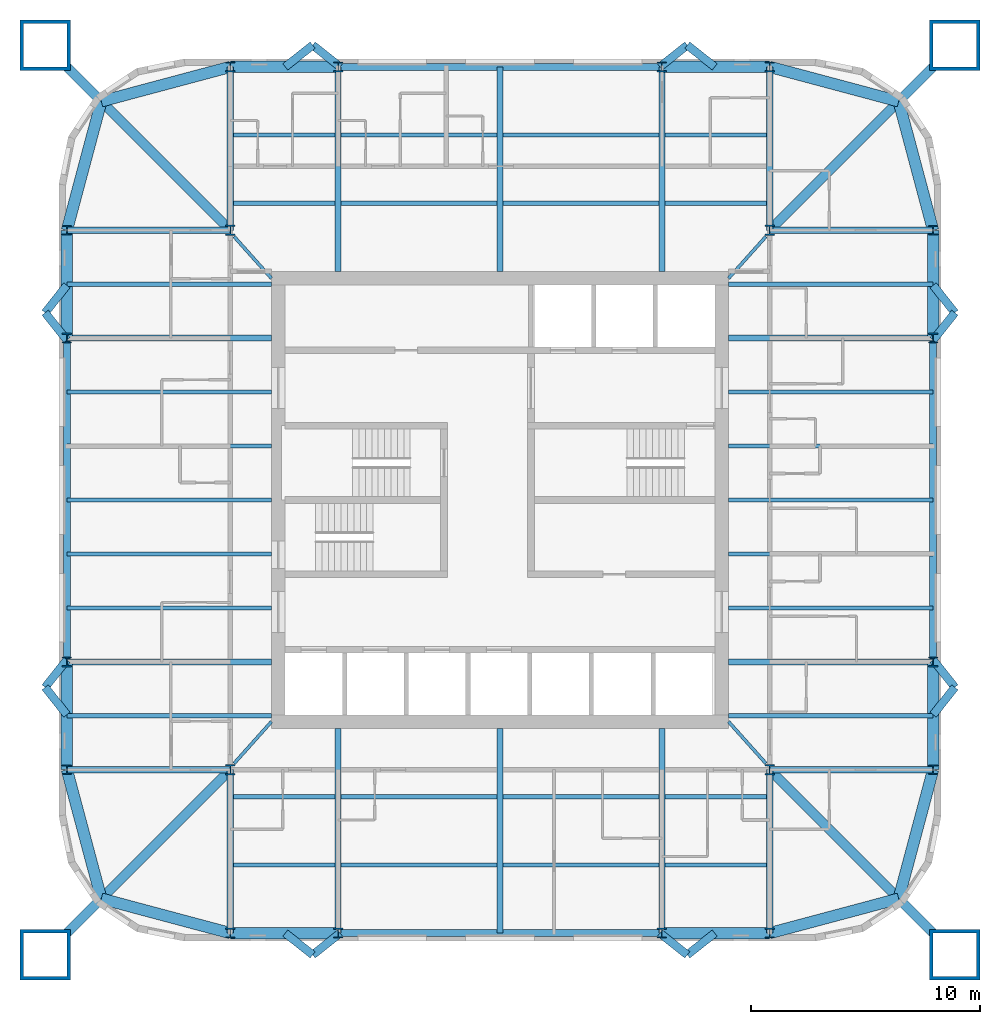
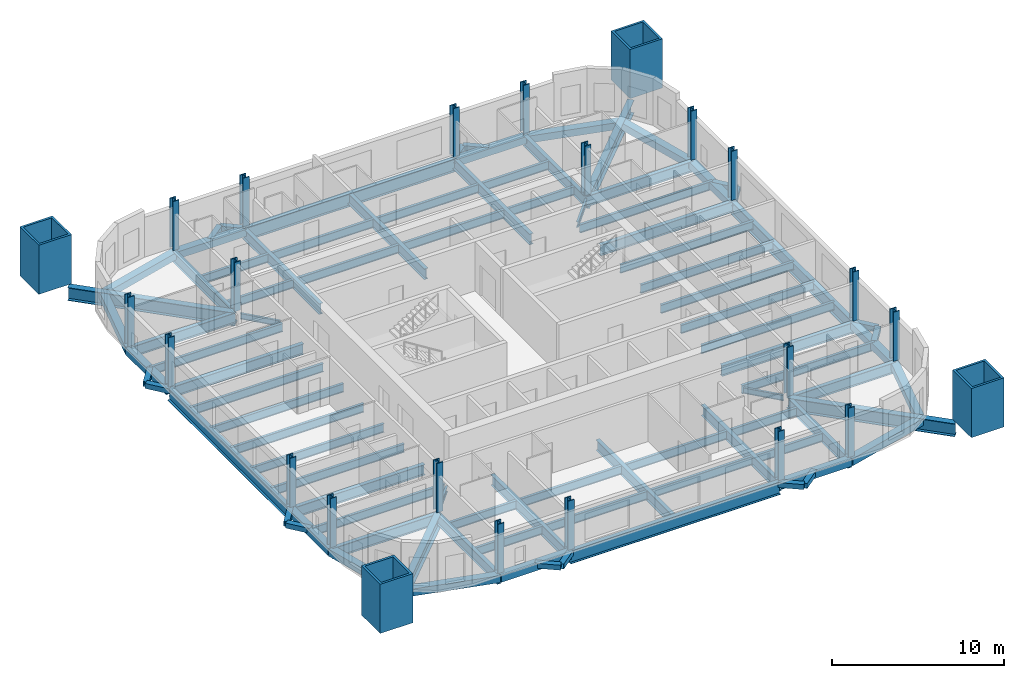
# One storey, part 1 of 9: 92 beams, 24 columns.
"""IFC4 building model written with IfcOpenShell, lengths in metres."""

from ifc_helpers import new_model, si_unit, direction, frame, origin, origin_2d, place, context, subcontext, project, spatial, hollow_rectangle, i_section, extrude, material, material_profile, profile_set, type_object, element, save


model = new_model("IFC4")

# Units and contexts
model_context = context("Model", 3, precision=1e-05, world=origin(), true_north=direction((0.0, 1.0)))
body_context = subcontext(model_context, "Body", "Model", "MODEL_VIEW")
ifc_project = project(units=[si_unit("LENGTHUNIT", "METRE"), si_unit("AREAUNIT", "SQUARE_METRE"), si_unit("VOLUMEUNIT", "CUBIC_METRE"), si_unit("PLANEANGLEUNIT", "RADIAN"), si_unit("MASSUNIT", "GRAM", prefix="KILO")], contexts=[model_context])

# Site, building, storey
site_placement = place(None, origin())
site = spatial("IfcSite", under=ifc_project, at=site_placement, CompositionType="ELEMENT")
building_placement = place(site_placement, origin())
building = spatial("IfcBuilding", under=site, at=building_placement, Name="Turquesa Mirador Hotel Tower", CompositionType="ELEMENT")
storey_placement = place(building_placement, frame((0.0, 0.0, 203.800048828125)))
storey = spatial("IfcBuildingStorey", under=building, at=storey_placement, Name="L55", CompositionType="ELEMENT", Elevation=203.800048828125)

# Columns
ifc_material_1 = material(Name="Steel ASTM A992 Grade 50", Category="steel")
ifc_material_profile_1 = material_profile(ifc_material_1, i_section(OverallWidth=0.411376953125, OverallDepth=0.434326171875, WebThickness=0.035888671875, FlangeThickness=0.057373046875, at=origin_2d()), Name="W14X311")
ifc_profile_set_1 = profile_set([ifc_material_profile_1], Name="Steel ASTM A992 Grade 50")
column_type_1 = type_object("IfcColumnType", Name="COLUMN W14X311", PredefinedType="COLUMN", material=ifc_profile_set_1)
for number, where, z_axis, x_axis, name in (
    (1, (36.050048828125, 33.199951171875, 0.0), (0.0, 0.0, 1.0), (1.0, 0.0, 0.0), "COL-L55-P--18.95--11.80"),
    (2, (36.050048828125, 37.919921875, 0.0), (0.0, 0.0, 1.0), (1.0, 0.0, 0.0), "COL-L55-P--18.95--7.08"),
    (3, (36.050048828125, 52.080078125, 0.0), (0.0, 0.0, 1.0), (1.0, 0.0, 0.0), "COL-L55-P--18.95-+7.08"),
    (4, (36.050048828125, 56.800048828125, 0.0), (0.0, 0.0, 1.0), (1.0, 0.0, 0.0), "COL-L55-P--18.95-+11.80"),
    (5, (43.199951171875, 26.050048828125, 0.0), (0.0, 0.0, 1.0), (1.0, 0.0, 0.0), "COL-L55-P--11.80--18.95"),
    (6, (43.199951171875, 63.949951171875, 0.0), (0.0, 0.0, 1.0), (1.0, 0.0, 0.0), "COL-L55-P--11.80-+18.95"),
    (7, (47.919921875, 26.050048828125, 0.0), (0.0, 0.0, 1.0), (1.0, 0.0, 0.0), "COL-L55-P--7.08--18.95"),
    (8, (47.919921875, 63.949951171875, 0.0), (0.0, 0.0, 1.0), (1.0, 0.0, 0.0), "COL-L55-P--7.08-+18.95"),
    (9, (62.080078125, 26.050048828125, 0.0), (0.0, 0.0, 1.0), (1.0, 0.0, 0.0), "COL-L55-P-+7.08--18.95"),
    (10, (62.080078125, 63.949951171875, 0.0), (0.0, 0.0, 1.0), (1.0, 0.0, 0.0), "COL-L55-P-+7.08-+18.95"),
    (11, (66.800048828125, 26.050048828125, 0.0), (0.0, 0.0, 1.0), (1.0, 0.0, 0.0), "COL-L55-P-+11.80--18.95"),
    (12, (66.800048828125, 63.949951171875, 0.0), (0.0, 0.0, 1.0), (1.0, 0.0, 0.0), "COL-L55-P-+11.80-+18.95"),
    (13, (73.949951171875, 33.199951171875, 0.0), (0.0, 0.0, 1.0), (1.0, 0.0, 0.0), "COL-L55-P-+18.95--11.80"),
    (14, (73.949951171875, 37.919921875, 0.0), (0.0, 0.0, 1.0), (1.0, 0.0, 0.0), "COL-L55-P-+18.95--7.08"),
    (15, (73.949951171875, 52.080078125, 0.0), (0.0, 0.0, 1.0), (1.0, 0.0, 0.0), "COL-L55-P-+18.95-+7.08"),
    (16, (73.949951171875, 56.800048828125, 0.0), (0.0, 0.0, 1.0), (1.0, 0.0, 0.0), "COL-L55-P-+18.95-+11.80"),
):
    element("IfcColumn", number, at=place(storey_placement, frame(where, z_axis=z_axis, x_axis=x_axis)), inside=storey, type_object=column_type_1, Name=name, PredefinedType="COLUMN", context=body_context, shape_type="SweptSolid", body=[
        extrude(i_section(OverallWidth=0.411376953125, OverallDepth=0.434326171875, WebThickness=0.035888671875, FlangeThickness=0.057373046875, at=origin_2d()), origin(), (0.0, 0.0, 1.0), 3.5),
    ])
ifc_material_2 = material(Name="Steel ASTM A992 Grade 50", Category="steel")
ifc_material_profile_2 = material_profile(ifc_material_2, i_section(OverallWidth=0.421630859375, OverallDepth=0.46484375, WebThickness=0.044921875, FlangeThickness=0.072509765625, at=origin_2d()), Name="W14X398")
ifc_profile_set_2 = profile_set([ifc_material_profile_2], Name="Steel ASTM A992 Grade 50")
column_type_2 = type_object("IfcColumnType", Name="COLUMN W14X398", PredefinedType="COLUMN", material=ifc_profile_set_2)
for number, where, z_axis, x_axis, name in (
    (17, (43.199951171875, 33.199951171875, 0.0), (0.0, 0.0, 1.0), (1.0, 0.0, 0.0), "COL-L55-K--11.80--11.80"),
    (18, (43.199951171875, 56.800048828125, 0.0), (0.0, 0.0, 1.0), (1.0, 0.0, 0.0), "COL-L55-K--11.80-+11.80"),
    (19, (66.800048828125, 33.199951171875, 0.0), (0.0, 0.0, 1.0), (1.0, 0.0, 0.0), "COL-L55-K-+11.80--11.80"),
    (20, (66.800048828125, 56.800048828125, 0.0), (0.0, 0.0, 1.0), (1.0, 0.0, 0.0), "COL-L55-K-+11.80-+11.80"),
):
    element("IfcColumn", number, at=place(storey_placement, frame(where, z_axis=z_axis, x_axis=x_axis)), inside=storey, type_object=column_type_2, Name=name, PredefinedType="COLUMN", context=body_context, shape_type="SweptSolid", body=[
        extrude(i_section(OverallWidth=0.421630859375, OverallDepth=0.46484375, WebThickness=0.044921875, FlangeThickness=0.072509765625, at=origin_2d()), origin(), (0.0, 0.0, 1.0), 3.5),
    ])
ifc_material_3 = material(Name="Steel ASTM A514 Grade Q", Category="steel")
ifc_material_profile_3 = material_profile(ifc_material_3, hollow_rectangle(XDim=2.199951171875, YDim=2.199951171875, WallThickness=0.14990234375, at=origin_2d()), Name="BOX2200X2200X150")
ifc_profile_set_3 = profile_set([ifc_material_profile_3], Name="Steel ASTM A514 Grade Q")
column_type_3 = type_object("IfcColumnType", Name="MEGA COLUMN BOX2200X2200X150", PredefinedType="COLUMN", material=ifc_profile_set_3)
for number, where, z_axis, x_axis, name in (
    (21, (74.89990234375, 64.89990234375, 0.0), (0.0, 0.0, 1.0), (1.0, 0.0, 0.0), "Mega column M1"),
    (22, (35.10009765625, 64.89990234375, 0.0), (0.0, 0.0, 1.0), (1.0, 0.0, 0.0), "Mega column M2"),
    (23, (35.10009765625, 25.10009765625, 0.0), (0.0, 0.0, 1.0), (1.0, 0.0, 0.0), "Mega column M3"),
    (24, (74.89990234375, 25.10009765625, 0.0), (0.0, 0.0, 1.0), (1.0, 0.0, 0.0), "Mega column M4"),
):
    element("IfcColumn", number, at=place(storey_placement, frame(where, z_axis=z_axis, x_axis=x_axis)), inside=storey, type_object=column_type_3, Name=name, PredefinedType="COLUMN", context=body_context, shape_type="SweptSolid", body=[
        extrude(hollow_rectangle(XDim=2.199951171875, YDim=2.199951171875, WallThickness=0.14990234375, at=origin_2d()), origin(), (0.0, 0.0, 1.0), 3.5),
    ])

# Beams
ifc_material_4 = material(Name="Steel ASTM A572 Grade 50", Category="steel")
ifc_material_profile_4 = material_profile(ifc_material_4, hollow_rectangle(XDim=0.5, YDim=0.5, WallThickness=0.01611328125, at=origin_2d()), Name="BOX500X500X16")
ifc_profile_set_4 = profile_set([ifc_material_profile_4], Name="Steel ASTM A572 Grade 50")
beam_type_1 = type_object("IfcBeamType", Name="BEAM BOX500X500X16", PredefinedType="BEAM", material=ifc_profile_set_4)
for number, where, z_axis, x_axis, name in (
    (25, (43.199951171875, 63.949951171875, -0.420166015625), (1.0, 0.0, 0.0), (0.0, 1.0, 0.0), "EB-L55-N-L"),
    (26, (62.080078125, 63.949951171875, -0.420166015625), (1.0, 0.0, 0.0), (0.0, 1.0, 0.0), "EB-L55-N-R"),
    (27, (43.199951171875, 26.050048828125, -0.420166015625), (1.0, 0.0, 0.0), (0.0, 1.0, 0.0), "EB-L55-S-L"),
    (28, (62.080078125, 26.050048828125, -0.420166015625), (1.0, 0.0, 0.0), (0.0, 1.0, 0.0), "EB-L55-S-R"),
    (29, (73.949951171875, 33.199951171875, -0.420166015625), (0.0, 1.0, 0.0), (-1.0, 0.0, 0.0), "EB-L55-E-L"),
    (30, (73.949951171875, 52.080078125, -0.420166015625), (0.0, 1.0, 0.0), (-1.0, 0.0, 0.0), "EB-L55-E-R"),
    (31, (36.050048828125, 33.199951171875, -0.420166015625), (0.0, 1.0, 0.0), (-1.0, 0.0, 0.0), "EB-L55-W-L"),
    (32, (36.050048828125, 52.080078125, -0.420166015625), (0.0, 1.0, 0.0), (-1.0, 0.0, 0.0), "EB-L55-W-R"),
):
    element("IfcBeam", number, at=place(storey_placement, frame(where, z_axis=z_axis, x_axis=x_axis)), inside=storey, type_object=beam_type_1, Name=name, PredefinedType="BEAM", context=body_context, shape_type="SweptSolid", body=[
        extrude(hollow_rectangle(XDim=0.5, YDim=0.5, WallThickness=0.01611328125, at=origin_2d()), origin(), (0.0, 0.0, 1.0), 4.719970703125),
    ])
for number, where, z_axis, x_axis, name in (
    (33, (73.949951171875, 56.800048828125, -0.420166015625), (-0.258281892145, 0.966069595935, 0.0), (-0.966069595935, -0.258281892145, 0.0), "KE-L55-1-0"),
    (34, (72.441650390625, 62.441650390625, -0.420166015625), (-0.966069595935, 0.258281892145, 0.0), (-0.258281892145, -0.966069595935, 0.0), "KE-L55-1-1"),
    (35, (36.050048828125, 56.800048828125, -0.420166015625), (0.258281892145, 0.966069595935, 0.0), (-0.966069595935, 0.258281892145, 0.0), "KE-L55-2-0"),
    (36, (37.558349609375, 62.441650390625, -0.420166015625), (0.966069595935, 0.258281892145, 0.0), (-0.258281892145, 0.966069595935, 0.0), "KE-L55-2-1"),
    (37, (36.050048828125, 33.199951171875, -0.420166015625), (0.258281892145, -0.966069595935, 0.0), (0.966069595935, 0.258281892145, 0.0), "KE-L55-3-0"),
    (38, (37.558349609375, 27.558349609375, -0.420166015625), (0.966069595935, -0.258281892145, 0.0), (0.258281892145, 0.966069595935, 0.0), "KE-L55-3-1"),
    (39, (73.949951171875, 33.199951171875, -0.420166015625), (-0.258281892145, -0.966069595935, 0.0), (0.966069595935, -0.258281892145, 0.0), "KE-L55-4-0"),
    (40, (72.441650390625, 27.558349609375, -0.420166015625), (-0.966069595935, -0.258281892145, 0.0), (0.258281892145, -0.966069595935, 0.0), "KE-L55-4-1"),
):
    element("IfcBeam", number, at=place(storey_placement, frame(where, z_axis=z_axis, x_axis=x_axis)), inside=storey, type_object=beam_type_1, Name=name, PredefinedType="BEAM", context=body_context, shape_type="SweptSolid", body=[
        extrude(hollow_rectangle(XDim=0.5, YDim=0.5, WallThickness=0.01611328125, at=origin_2d()), origin(), (0.0, 0.0, 1.0), 5.83984375),
    ])
ifc_material_5 = material(Name="Steel ASTM A992 Grade 50", Category="steel")
ifc_material_profile_5 = material_profile(ifc_material_5, i_section(OverallWidth=0.140380859375, OverallDepth=0.40380859375, WebThickness=0.007080078125, FlangeThickness=0.01123046875, at=origin_2d()), Name="W16X31")
ifc_profile_set_5 = profile_set([ifc_material_profile_5], Name="Steel ASTM A992 Grade 50")
beam_type_2 = type_object("IfcBeamType", Name="BEAM W16X31", PredefinedType="BEAM", material=ifc_profile_set_5)
for number, where, z_axis, x_axis, name in (
    (41, (66.634765625, 56.527099609375, -0.3720703125), (-0.666783216266, -0.745251730964, 0.0), (0.745251730964, -0.666783216266, 0.0), "KT-L55-1"),
    (42, (43.365234375, 56.527099609375, -0.3720703125), (0.666783216266, -0.745251730964, 0.0), (0.745251730964, 0.666783216266, 0.0), "KT-L55-2"),
    (43, (43.365234375, 33.472900390625, -0.3720703125), (0.666783216266, 0.745251730964, 0.0), (-0.745251730964, 0.666783216266, 0.0), "KT-L55-3"),
    (44, (66.634765625, 33.472900390625, -0.3720703125), (-0.666783216266, 0.745251730964, 0.0), (-0.745251730964, -0.666783216266, 0.0), "KT-L55-4"),
):
    element("IfcBeam", number, at=place(storey_placement, frame(where, z_axis=z_axis, x_axis=x_axis)), inside=storey, type_object=beam_type_2, Name=name, PredefinedType="BEAM", context=body_context, shape_type="SweptSolid", body=[
        extrude(i_section(OverallWidth=0.140380859375, OverallDepth=0.40380859375, WebThickness=0.007080078125, FlangeThickness=0.01123046875, at=origin_2d()), origin(), (0.0, 0.0, 1.0), 2.45166015625),
    ])
ifc_material_6 = material(Name="Steel ASTM A992 Grade 50", Category="steel")
ifc_material_profile_6 = material_profile(ifc_material_6, i_section(OverallWidth=0.177978515625, OverallDepth=0.599365234375, WebThickness=0.010009765625, FlangeThickness=0.012939453125, at=origin_2d()), Name="W24X55")
ifc_profile_set_6 = profile_set([ifc_material_profile_6], Name="Steel ASTM A992 Grade 50")
beam_type_3 = type_object("IfcBeamType", Name="BEAM W24X55", PredefinedType="BEAM", material=ifc_profile_set_6)
beam_1_placement = place(storey_placement, frame((43.333251953125, 57.98291015625, -0.4697265625), z_axis=(1.0, 0.0, 0.0), x_axis=(0.0, 1.0, 0.0)))
element("IfcBeam", 45, at=beam_1_placement, inside=storey, type_object=beam_type_3, Name="IB-L55-N-1-0", PredefinedType="BEAM", context=body_context, shape_type="SweptSolid", body=[
    extrude(i_section(OverallWidth=0.177978515625, OverallDepth=0.599365234375, WebThickness=0.010009765625, FlangeThickness=0.012939453125, at=origin_2d()), origin(), (0.0, 0.0, 1.0), 4.453369140625),
])
for number, where, z_axis, x_axis, name in (
    (46, (48.053466796875, 57.98291015625, -0.4697265625), (1.0, 0.0, 0.0), (0.0, 1.0, 0.0), "IB-L55-N-1-1"),
    (47, (55.13330078125, 57.98291015625, -0.4697265625), (1.0, 0.0, 0.0), (0.0, 1.0, 0.0), "IB-L55-N-1-2"),
):
    element("IfcBeam", number, at=place(storey_placement, frame(where, z_axis=z_axis, x_axis=x_axis)), inside=storey, type_object=beam_type_3, Name=name, PredefinedType="BEAM", context=body_context, shape_type="SweptSolid", body=[
        extrude(i_section(OverallWidth=0.177978515625, OverallDepth=0.599365234375, WebThickness=0.010009765625, FlangeThickness=0.012939453125, at=origin_2d()), origin(), (0.0, 0.0, 1.0), 6.813232421875),
    ])
for number, where, z_axis, x_axis, name in (
    (48, (62.21337890625, 57.98291015625, -0.4697265625), (1.0, 0.0, 0.0), (0.0, 1.0, 0.0), "IB-L55-N-1-3"),
    (49, (43.333251953125, 60.967041015625, -0.4697265625), (1.0, 0.0, 0.0), (0.0, 1.0, 0.0), "IB-L55-N-2-0"),
):
    element("IfcBeam", number, at=place(storey_placement, frame(where, z_axis=z_axis, x_axis=x_axis)), inside=storey, type_object=beam_type_3, Name=name, PredefinedType="BEAM", context=body_context, shape_type="SweptSolid", body=[
        extrude(i_section(OverallWidth=0.177978515625, OverallDepth=0.599365234375, WebThickness=0.010009765625, FlangeThickness=0.012939453125, at=origin_2d()), origin(), (0.0, 0.0, 1.0), 4.453369140625),
    ])
for number, where, z_axis, x_axis, name in (
    (50, (48.053466796875, 60.967041015625, -0.4697265625), (1.0, 0.0, 0.0), (0.0, 1.0, 0.0), "IB-L55-N-2-1"),
    (51, (55.13330078125, 60.967041015625, -0.4697265625), (1.0, 0.0, 0.0), (0.0, 1.0, 0.0), "IB-L55-N-2-2"),
):
    element("IfcBeam", number, at=place(storey_placement, frame(where, z_axis=z_axis, x_axis=x_axis)), inside=storey, type_object=beam_type_3, Name=name, PredefinedType="BEAM", context=body_context, shape_type="SweptSolid", body=[
        extrude(i_section(OverallWidth=0.177978515625, OverallDepth=0.599365234375, WebThickness=0.010009765625, FlangeThickness=0.012939453125, at=origin_2d()), origin(), (0.0, 0.0, 1.0), 6.813232421875),
    ])
for number, where, z_axis, x_axis, name in (
    (52, (62.21337890625, 60.967041015625, -0.4697265625), (1.0, 0.0, 0.0), (0.0, 1.0, 0.0), "IB-L55-N-2-3"),
    (53, (43.333251953125, 32.01708984375, -0.4697265625), (1.0, 0.0, 0.0), (0.0, 1.0, 0.0), "IB-L55-S-1-0"),
):
    element("IfcBeam", number, at=place(storey_placement, frame(where, z_axis=z_axis, x_axis=x_axis)), inside=storey, type_object=beam_type_3, Name=name, PredefinedType="BEAM", context=body_context, shape_type="SweptSolid", body=[
        extrude(i_section(OverallWidth=0.177978515625, OverallDepth=0.599365234375, WebThickness=0.010009765625, FlangeThickness=0.012939453125, at=origin_2d()), origin(), (0.0, 0.0, 1.0), 4.453369140625),
    ])
for number, where, z_axis, x_axis, name in (
    (54, (48.053466796875, 32.01708984375, -0.4697265625), (1.0, 0.0, 0.0), (0.0, 1.0, 0.0), "IB-L55-S-1-1"),
    (55, (55.13330078125, 32.01708984375, -0.4697265625), (1.0, 0.0, 0.0), (0.0, 1.0, 0.0), "IB-L55-S-1-2"),
):
    element("IfcBeam", number, at=place(storey_placement, frame(where, z_axis=z_axis, x_axis=x_axis)), inside=storey, type_object=beam_type_3, Name=name, PredefinedType="BEAM", context=body_context, shape_type="SweptSolid", body=[
        extrude(i_section(OverallWidth=0.177978515625, OverallDepth=0.599365234375, WebThickness=0.010009765625, FlangeThickness=0.012939453125, at=origin_2d()), origin(), (0.0, 0.0, 1.0), 6.813232421875),
    ])
for number, where, z_axis, x_axis, name in (
    (56, (62.21337890625, 32.01708984375, -0.4697265625), (1.0, 0.0, 0.0), (0.0, 1.0, 0.0), "IB-L55-S-1-3"),
    (57, (43.333251953125, 29.032958984375, -0.4697265625), (1.0, 0.0, 0.0), (0.0, 1.0, 0.0), "IB-L55-S-2-0"),
):
    element("IfcBeam", number, at=place(storey_placement, frame(where, z_axis=z_axis, x_axis=x_axis)), inside=storey, type_object=beam_type_3, Name=name, PredefinedType="BEAM", context=body_context, shape_type="SweptSolid", body=[
        extrude(i_section(OverallWidth=0.177978515625, OverallDepth=0.599365234375, WebThickness=0.010009765625, FlangeThickness=0.012939453125, at=origin_2d()), origin(), (0.0, 0.0, 1.0), 4.453369140625),
    ])
for number, where, z_axis, x_axis, name in (
    (58, (48.053466796875, 29.032958984375, -0.4697265625), (1.0, 0.0, 0.0), (0.0, 1.0, 0.0), "IB-L55-S-2-1"),
    (59, (55.13330078125, 29.032958984375, -0.4697265625), (1.0, 0.0, 0.0), (0.0, 1.0, 0.0), "IB-L55-S-2-2"),
):
    element("IfcBeam", number, at=place(storey_placement, frame(where, z_axis=z_axis, x_axis=x_axis)), inside=storey, type_object=beam_type_3, Name=name, PredefinedType="BEAM", context=body_context, shape_type="SweptSolid", body=[
        extrude(i_section(OverallWidth=0.177978515625, OverallDepth=0.599365234375, WebThickness=0.010009765625, FlangeThickness=0.012939453125, at=origin_2d()), origin(), (0.0, 0.0, 1.0), 6.813232421875),
    ])
beam_2_placement = place(storey_placement, frame((62.21337890625, 29.032958984375, -0.4697265625), z_axis=(1.0, 0.0, 0.0), x_axis=(0.0, 1.0, 0.0)))
element("IfcBeam", 60, at=beam_2_placement, inside=storey, type_object=beam_type_3, Name="IB-L55-S-2-3", PredefinedType="BEAM", context=body_context, shape_type="SweptSolid", body=[
    extrude(i_section(OverallWidth=0.177978515625, OverallDepth=0.599365234375, WebThickness=0.010009765625, FlangeThickness=0.012939453125, at=origin_2d()), origin(), (0.0, 0.0, 1.0), 4.453369140625),
])
for number, where, z_axis, x_axis, name in (
    (61, (73.949951171875, 35.56005859375, -0.4697265625), (-1.0, 0.0, 0.0), (0.0, -1.0, 0.0), "BM-L55-E--9.44"),
    (62, (73.949951171875, 40.280029296875, -0.4697265625), (-1.0, 0.0, 0.0), (0.0, -1.0, 0.0), "BM-L55-E--4.72"),
    (63, (73.949951171875, 42.639892578125, -0.4697265625), (-1.0, 0.0, 0.0), (0.0, -1.0, 0.0), "BM-L55-E--2.36"),
    (64, (73.949951171875, 45.0, -0.4697265625), (-1.0, 0.0, 0.0), (0.0, -1.0, 0.0), "BM-L55-E-+0.00"),
    (65, (73.949951171875, 47.360107421875, -0.4697265625), (-1.0, 0.0, 0.0), (0.0, -1.0, 0.0), "BM-L55-E-+2.36"),
    (66, (73.949951171875, 49.719970703125, -0.4697265625), (-1.0, 0.0, 0.0), (0.0, -1.0, 0.0), "BM-L55-E-+4.72"),
    (67, (73.949951171875, 54.43994140625, -0.4697265625), (-1.0, 0.0, 0.0), (0.0, -1.0, 0.0), "BM-L55-E-+9.44"),
    (68, (36.050048828125, 35.56005859375, -0.4697265625), (1.0, 0.0, 0.0), (0.0, 1.0, 0.0), "BM-L55-W--9.44"),
    (69, (36.050048828125, 40.280029296875, -0.4697265625), (1.0, 0.0, 0.0), (0.0, 1.0, 0.0), "BM-L55-W--4.72"),
    (70, (36.050048828125, 42.639892578125, -0.4697265625), (1.0, 0.0, 0.0), (0.0, 1.0, 0.0), "BM-L55-W--2.36"),
    (71, (36.050048828125, 45.0, -0.4697265625), (1.0, 0.0, 0.0), (0.0, 1.0, 0.0), "BM-L55-W-+0.00"),
    (72, (36.050048828125, 47.360107421875, -0.4697265625), (1.0, 0.0, 0.0), (0.0, 1.0, 0.0), "BM-L55-W-+2.36"),
    (73, (36.050048828125, 49.719970703125, -0.4697265625), (1.0, 0.0, 0.0), (0.0, 1.0, 0.0), "BM-L55-W-+4.72"),
    (74, (36.050048828125, 54.43994140625, -0.4697265625), (1.0, 0.0, 0.0), (0.0, 1.0, 0.0), "BM-L55-W-+9.44"),
):
    element("IfcBeam", number, at=place(storey_placement, frame(where, z_axis=z_axis, x_axis=x_axis)), inside=storey, type_object=beam_type_3, Name=name, PredefinedType="BEAM", context=body_context, shape_type="SweptSolid", body=[
        extrude(i_section(OverallWidth=0.177978515625, OverallDepth=0.599365234375, WebThickness=0.010009765625, FlangeThickness=0.012939453125, at=origin_2d()), origin(), (0.0, 0.0, 1.0), 8.949951171875),
    ])
ifc_material_7 = material(Name="Steel ASTM A992 Grade 50", Category="steel")
ifc_material_profile_7 = material_profile(ifc_material_7, i_section(OverallWidth=0.2666015625, OverallDepth=0.7568359375, WebThickness=0.013916015625, FlangeThickness=0.019287109375, at=origin_2d()), Name="W30X108")
ifc_profile_set_7 = profile_set([ifc_material_profile_7], Name="Steel ASTM A992 Grade 50")
beam_type_4 = type_object("IfcBeamType", Name="BEAM W30X108", PredefinedType="BEAM", material=ifc_profile_set_7)
for number, where, z_axis, x_axis, name in (
    (75, (47.919921875, 63.949951171875, -0.548583984375), (0.0, -1.0, 0.0), (1.0, 0.0, 0.0), "GD-L55-N--7.08"),
    (76, (62.080078125, 63.949951171875, -0.548583984375), (0.0, -1.0, 0.0), (1.0, 0.0, 0.0), "GD-L55-N-+7.08"),
    (77, (55.0, 63.949951171875, -0.548583984375), (0.0, -1.0, 0.0), (1.0, 0.0, 0.0), "GD-L55-N-+0.00"),
):
    element("IfcBeam", number, at=place(storey_placement, frame(where, z_axis=z_axis, x_axis=x_axis)), inside=storey, type_object=beam_type_4, Name=name, PredefinedType="BEAM", context=body_context, shape_type="SweptSolid", body=[
        extrude(i_section(OverallWidth=0.2666015625, OverallDepth=0.7568359375, WebThickness=0.013916015625, FlangeThickness=0.019287109375, at=origin_2d()), origin(), (0.0, 0.0, 1.0), 8.949951171875),
    ])
for number, where, z_axis, x_axis, name in (
    (78, (43.199951171875, 63.949951171875, -0.548583984375), (0.0, -1.0, 0.0), (1.0, 0.0, 0.0), "GK-L55-N--11.80"),
    (79, (66.800048828125, 63.949951171875, -0.548583984375), (0.0, -1.0, 0.0), (1.0, 0.0, 0.0), "GK-L55-N-+11.80"),
):
    element("IfcBeam", number, at=place(storey_placement, frame(where, z_axis=z_axis, x_axis=x_axis)), inside=storey, type_object=beam_type_4, Name=name, PredefinedType="BEAM", context=body_context, shape_type="SweptSolid", body=[
        extrude(i_section(OverallWidth=0.2666015625, OverallDepth=0.7568359375, WebThickness=0.013916015625, FlangeThickness=0.019287109375, at=origin_2d()), origin(), (0.0, 0.0, 1.0), 7.14990234375),
    ])
for number, where, z_axis, x_axis, name in (
    (80, (47.919921875, 26.050048828125, -0.548583984375), (0.0, 1.0, 0.0), (-1.0, 0.0, 0.0), "GD-L55-S--7.08"),
    (81, (62.080078125, 26.050048828125, -0.548583984375), (0.0, 1.0, 0.0), (-1.0, 0.0, 0.0), "GD-L55-S-+7.08"),
    (82, (55.0, 26.050048828125, -0.548583984375), (0.0, 1.0, 0.0), (-1.0, 0.0, 0.0), "GD-L55-S-+0.00"),
):
    element("IfcBeam", number, at=place(storey_placement, frame(where, z_axis=z_axis, x_axis=x_axis)), inside=storey, type_object=beam_type_4, Name=name, PredefinedType="BEAM", context=body_context, shape_type="SweptSolid", body=[
        extrude(i_section(OverallWidth=0.2666015625, OverallDepth=0.7568359375, WebThickness=0.013916015625, FlangeThickness=0.019287109375, at=origin_2d()), origin(), (0.0, 0.0, 1.0), 8.949951171875),
    ])
for number, where, z_axis, x_axis, name in (
    (83, (43.199951171875, 26.050048828125, -0.548583984375), (0.0, 1.0, 0.0), (-1.0, 0.0, 0.0), "GK-L55-S--11.80"),
    (84, (66.800048828125, 26.050048828125, -0.548583984375), (0.0, 1.0, 0.0), (-1.0, 0.0, 0.0), "GK-L55-S-+11.80"),
):
    element("IfcBeam", number, at=place(storey_placement, frame(where, z_axis=z_axis, x_axis=x_axis)), inside=storey, type_object=beam_type_4, Name=name, PredefinedType="BEAM", context=body_context, shape_type="SweptSolid", body=[
        extrude(i_section(OverallWidth=0.2666015625, OverallDepth=0.7568359375, WebThickness=0.013916015625, FlangeThickness=0.019287109375, at=origin_2d()), origin(), (0.0, 0.0, 1.0), 7.14990234375),
    ])
for number, where, z_axis, x_axis, name in (
    (85, (73.949951171875, 37.919921875, -0.548583984375), (-1.0, 0.0, 0.0), (0.0, -1.0, 0.0), "GD-L55-E--7.08"),
    (86, (73.949951171875, 52.080078125, -0.548583984375), (-1.0, 0.0, 0.0), (0.0, -1.0, 0.0), "GD-L55-E-+7.08"),
):
    element("IfcBeam", number, at=place(storey_placement, frame(where, z_axis=z_axis, x_axis=x_axis)), inside=storey, type_object=beam_type_4, Name=name, PredefinedType="BEAM", context=body_context, shape_type="SweptSolid", body=[
        extrude(i_section(OverallWidth=0.2666015625, OverallDepth=0.7568359375, WebThickness=0.013916015625, FlangeThickness=0.019287109375, at=origin_2d()), origin(), (0.0, 0.0, 1.0), 8.949951171875),
    ])
for number, where, z_axis, x_axis, name in (
    (87, (73.949951171875, 33.199951171875, -0.548583984375), (-1.0, 0.0, 0.0), (0.0, -1.0, 0.0), "GK-L55-E--11.80"),
    (88, (73.949951171875, 56.800048828125, -0.548583984375), (-1.0, 0.0, 0.0), (0.0, -1.0, 0.0), "GK-L55-E-+11.80"),
):
    element("IfcBeam", number, at=place(storey_placement, frame(where, z_axis=z_axis, x_axis=x_axis)), inside=storey, type_object=beam_type_4, Name=name, PredefinedType="BEAM", context=body_context, shape_type="SweptSolid", body=[
        extrude(i_section(OverallWidth=0.2666015625, OverallDepth=0.7568359375, WebThickness=0.013916015625, FlangeThickness=0.019287109375, at=origin_2d()), origin(), (0.0, 0.0, 1.0), 7.14990234375),
    ])
for number, where, z_axis, x_axis, name in (
    (89, (36.050048828125, 37.919921875, -0.548583984375), (1.0, 0.0, 0.0), (0.0, 1.0, 0.0), "GD-L55-W--7.08"),
    (90, (36.050048828125, 52.080078125, -0.548583984375), (1.0, 0.0, 0.0), (0.0, 1.0, 0.0), "GD-L55-W-+7.08"),
):
    element("IfcBeam", number, at=place(storey_placement, frame(where, z_axis=z_axis, x_axis=x_axis)), inside=storey, type_object=beam_type_4, Name=name, PredefinedType="BEAM", context=body_context, shape_type="SweptSolid", body=[
        extrude(i_section(OverallWidth=0.2666015625, OverallDepth=0.7568359375, WebThickness=0.013916015625, FlangeThickness=0.019287109375, at=origin_2d()), origin(), (0.0, 0.0, 1.0), 8.949951171875),
    ])
for number, where, z_axis, x_axis, name in (
    (91, (36.050048828125, 33.199951171875, -0.548583984375), (1.0, 0.0, 0.0), (0.0, 1.0, 0.0), "GK-L55-W--11.80"),
    (92, (36.050048828125, 56.800048828125, -0.548583984375), (1.0, 0.0, 0.0), (0.0, 1.0, 0.0), "GK-L55-W-+11.80"),
):
    element("IfcBeam", number, at=place(storey_placement, frame(where, z_axis=z_axis, x_axis=x_axis)), inside=storey, type_object=beam_type_4, Name=name, PredefinedType="BEAM", context=body_context, shape_type="SweptSolid", body=[
        extrude(i_section(OverallWidth=0.2666015625, OverallDepth=0.7568359375, WebThickness=0.013916015625, FlangeThickness=0.019287109375, at=origin_2d()), origin(), (0.0, 0.0, 1.0), 7.14990234375),
    ])
ifc_material_8 = material(Name="Steel ASTM A992 Grade 50", Category="steel")
ifc_material_profile_8 = material_profile(ifc_material_8, i_section(OverallWidth=0.3046875, OverallDepth=0.911865234375, WebThickness=0.015869140625, FlangeThickness=0.02392578125, at=origin_2d()), Name="W36X150")
ifc_profile_set_8 = profile_set([ifc_material_profile_8], Name="Steel ASTM A992 Grade 50")
beam_type_5 = type_object("IfcBeamType", Name="BEAM W36X150", PredefinedType="BEAM", material=ifc_profile_set_8)
for number, where, z_axis, x_axis, name in (
    (93, (47.919921875, 63.949951171875, -0.6259765625), (1.0, 0.0, 0.0), (0.0, 1.0, 0.0), "EB-L55-N-C"),
    (94, (47.919921875, 26.050048828125, -0.6259765625), (1.0, 0.0, 0.0), (0.0, 1.0, 0.0), "EB-L55-S-C"),
    (95, (73.949951171875, 37.919921875, -0.6259765625), (0.0, 1.0, 0.0), (-1.0, 0.0, 0.0), "EB-L55-E-C"),
    (96, (36.050048828125, 37.919921875, -0.6259765625), (0.0, 1.0, 0.0), (-1.0, 0.0, 0.0), "EB-L55-W-C"),
):
    element("IfcBeam", number, at=place(storey_placement, frame(where, z_axis=z_axis, x_axis=x_axis)), inside=storey, type_object=beam_type_5, Name=name, PredefinedType="BEAM", context=body_context, shape_type="SweptSolid", body=[
        extrude(i_section(OverallWidth=0.3046875, OverallDepth=0.911865234375, WebThickness=0.015869140625, FlangeThickness=0.02392578125, at=origin_2d()), origin(), (0.0, 0.0, 1.0), 14.16015625),
    ])
ifc_material_9 = material(Name="Steel ASTM A992 Grade 50", Category="steel")
ifc_material_profile_9 = material_profile(ifc_material_9, i_section(OverallWidth=0.419189453125, OverallDepth=0.927001953125, WebThickness=0.019287109375, FlangeThickness=0.031982421875, at=origin_2d()), Name="W36X231")
ifc_profile_set_9 = profile_set([ifc_material_profile_9], Name="Steel ASTM A992 Grade 50")
beam_type_6 = type_object("IfcBeamType", Name="BEAM W36X231", PredefinedType="BEAM", material=ifc_profile_set_9)
for number, where, z_axis, x_axis, name in (
    (97, (66.800048828125, 56.800048828125, -0.633544921875), (0.707106781187, 0.707106781187, 0.0), (-0.707106781187, 0.707106781187, 0.0), "KD-L55-1"),
    (98, (43.199951171875, 56.800048828125, -0.633544921875), (-0.707106781187, 0.707106781187, 0.0), (-0.707106781187, -0.707106781187, 0.0), "KD-L55-2"),
    (99, (43.199951171875, 33.199951171875, -0.633544921875), (-0.707106781187, -0.707106781187, 0.0), (0.707106781187, -0.707106781187, 0.0), "KD-L55-3"),
    (100, (66.800048828125, 33.199951171875, -0.633544921875), (0.707106781187, -0.707106781187, 0.0), (0.707106781187, 0.707106781187, 0.0), "KD-L55-4"),
):
    element("IfcBeam", number, at=place(storey_placement, frame(where, z_axis=z_axis, x_axis=x_axis)), inside=storey, type_object=beam_type_6, Name=name, PredefinedType="BEAM", context=body_context, shape_type="SweptSolid", body=[
        extrude(i_section(OverallWidth=0.419189453125, OverallDepth=0.927001953125, WebThickness=0.019287109375, FlangeThickness=0.031982421875, at=origin_2d()), origin(), (0.0, 0.0, 1.0), 10.080322265625),
    ])
ifc_material_10 = material(Name="Steel ASTM A500 Grade C", Category="steel")
ifc_material_profile_10 = material_profile(ifc_material_10, hollow_rectangle(XDim=0.355712890625, YDim=0.355712890625, WallThickness=0.0146484375, at=origin_2d()), Name="HSS14X14X5/8")
ifc_profile_set_10 = profile_set([ifc_material_profile_10], Name="Steel ASTM A500 Grade C")
beam_type_7 = type_object("IfcBeamType", Name="BRACE STRUT HSS14X14X5/8", PredefinedType="BEAM", material=ifc_profile_set_10)
for number, where, z_axis, x_axis, name in (
    (101, (63.194091796875, 64.89990234375, -0.347900390625), (-0.784049059149, -0.620698858423, 0.0), (0.620698858423, -0.784049059149, 0.0), "Brace strut"),
    (102, (63.194091796875, 64.89990234375, -0.347900390625), (0.784049059149, -0.620698858423, 0.0), (0.620698858423, 0.784049059149, 0.0), "Brace strut"),
    (103, (46.805908203125, 64.89990234375, -0.347900390625), (-0.784049059149, -0.620698858423, 0.0), (0.620698858423, -0.784049059149, 0.0), "Brace strut"),
    (104, (46.805908203125, 64.89990234375, -0.347900390625), (0.784049059149, -0.620698858423, 0.0), (0.620698858423, 0.784049059149, 0.0), "Brace strut"),
    (105, (63.194091796875, 25.10009765625, -0.347900390625), (-0.784049059149, 0.620698858423, 0.0), (-0.620698858423, -0.784049059149, 0.0), "Brace strut"),
    (106, (63.194091796875, 25.10009765625, -0.347900390625), (0.784049059149, 0.620698858423, 0.0), (-0.620698858423, 0.784049059149, 0.0), "Brace strut"),
    (107, (46.805908203125, 25.10009765625, -0.347900390625), (-0.784049059149, 0.620698858423, 0.0), (-0.620698858423, -0.784049059149, 0.0), "Brace strut"),
    (108, (46.805908203125, 25.10009765625, -0.347900390625), (0.784049059149, 0.620698858423, 0.0), (-0.620698858423, 0.784049059149, 0.0), "Brace strut"),
    (109, (74.89990234375, 53.194091796875, -0.347900390625), (-0.620698858423, -0.784049059149, 0.0), (0.784049059149, -0.620698858423, 0.0), "Brace strut"),
    (110, (74.89990234375, 53.194091796875, -0.347900390625), (-0.620698858423, 0.784049059149, 0.0), (-0.784049059149, -0.620698858423, 0.0), "Brace strut"),
    (111, (74.89990234375, 36.805908203125, -0.347900390625), (-0.620698858423, -0.784049059149, 0.0), (0.784049059149, -0.620698858423, 0.0), "Brace strut"),
    (112, (74.89990234375, 36.805908203125, -0.347900390625), (-0.620698858423, 0.784049059149, 0.0), (-0.784049059149, -0.620698858423, 0.0), "Brace strut"),
    (113, (35.10009765625, 53.194091796875, -0.347900390625), (0.620698858423, -0.784049059149, 0.0), (0.784049059149, 0.620698858423, 0.0), "Brace strut"),
    (114, (35.10009765625, 53.194091796875, -0.347900390625), (0.620698858423, 0.784049059149, 0.0), (-0.784049059149, 0.620698858423, 0.0), "Brace strut"),
    (115, (35.10009765625, 36.805908203125, -0.347900390625), (0.620698858423, -0.784049059149, 0.0), (0.784049059149, 0.620698858423, 0.0), "Brace strut"),
    (116, (35.10009765625, 36.805908203125, -0.347900390625), (0.620698858423, 0.784049059149, 0.0), (-0.784049059149, 0.620698858423, 0.0), "Brace strut"),
):
    element("IfcBeam", number, at=place(storey_placement, frame(where, z_axis=z_axis, x_axis=x_axis)), inside=storey, type_object=beam_type_7, Name=name, PredefinedType="BEAM", context=body_context, shape_type="SweptSolid", body=[
        extrude(hollow_rectangle(XDim=0.355712890625, YDim=0.355712890625, WallThickness=0.0146484375, at=origin_2d()), origin(), (0.0, 0.0, 1.0), 1.530517578125),
    ])

save(model, "model.ifc")
